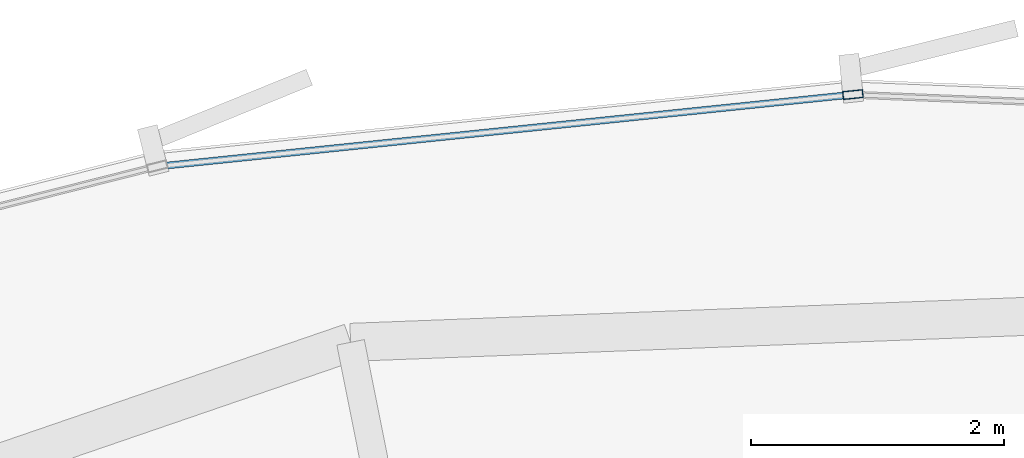
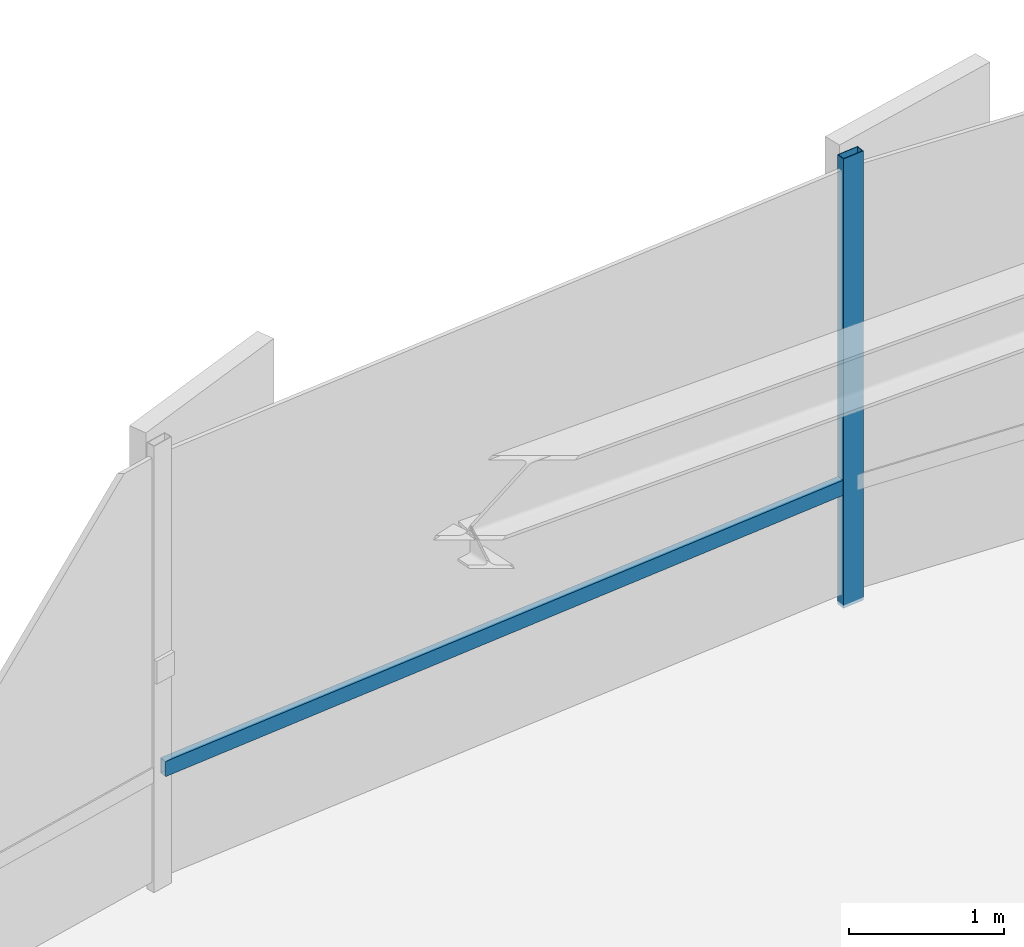
# One storey, part 25 of 42: 2 members, 1 element without a shape of its own.
"""IFC4 building model written with IfcOpenShell, lengths in metres."""

from ifc_helpers import new_model, si_unit, direction, frame, origin, origin_2d, place, context, subcontext, project, spatial, hollow_rectangle, extrude, source, transform, mapped, material, layer, layer_set, material_profile, profile_set, type_object, element, aggregate, save


model = new_model("IFC4")

# Units and contexts
model_context = context("Model", 3, precision=1e-05, world=origin(), true_north=direction((0.0, 1.0)))
body_context = subcontext(model_context, "Body", "Model", "MODEL_VIEW")
ifc_project = project(units=[si_unit("LENGTHUNIT", "METRE"), si_unit("AREAUNIT", "SQUARE_METRE"), si_unit("VOLUMEUNIT", "CUBIC_METRE"), si_unit("PLANEANGLEUNIT", "RADIAN"), si_unit("MASSUNIT", "GRAM", prefix="KILO"), si_unit("THERMODYNAMICTEMPERATUREUNIT", "KELVIN")], contexts=[model_context])

# Site, building, storey
site_placement = place(None, origin())
site = spatial("IfcSite", under=ifc_project, at=site_placement, CompositionType="ELEMENT")
building_placement = place(site_placement, origin())
building = spatial("IfcBuilding", under=site, at=building_placement, Name="Kethvar Cultural Tower", CompositionType="ELEMENT")
storey_placement = place(building_placement, frame((0.0, 0.0, 37.199951171875)))
storey = spatial("IfcBuildingStorey", under=building, at=storey_placement, Name="L08", CompositionType="ELEMENT", Elevation=37.199951171875)

# Curtain wall, members
ifc_material = material(Name="Aluminium 6063-T6", Category="aluminium")
ifc_layer = layer(ifc_material, 0.179931640625, Name="Aluminium 6063-T6", Category="aluminium")
ifc_layer_set = layer_set([ifc_layer], Name="Aluminium 6063-T6 (180 mm)")
curtain_wall_type = type_object("IfcCurtainWallType", Name="CW-SYS-02-Z1", PredefinedType="NOTDEFINED", material=ifc_layer_set)
curtain_wall_placement = place(storey_placement, origin())
curtain_wall = element("IfcCurtainWall", 1, at=curtain_wall_placement, inside=storey, type_object=curtain_wall_type, Name="L08 Curtain Wall Run 02", PredefinedType="NOTDEFINED")
ifc_material_profile_1 = material_profile(ifc_material, hollow_rectangle(XDim=0.06494140625, YDim=0.159912109375, WallThickness=0.0048828125, at=origin_2d()), Name="Aluminium 6063-T6 — RHS160x65x5")
ifc_profile_set_1 = profile_set([ifc_material_profile_1], Name="Aluminium 6063-T6 — RHS160x65x5")
member_type_1 = type_object("IfcMemberType", Name="CW-SYS-02-Z1-MUL", PredefinedType="MULLION", material=ifc_profile_set_1)
shared_shape_1 = source(origin(), body_context, "Body", "SweptSolid", [
    extrude(hollow_rectangle(XDim=0.06494140625, YDim=0.159912109375, WallThickness=0.0048828125, at=origin_2d()), origin(), (0.0, 0.0, 1.0), 3.550048828125),
])
member_1_placement = place(storey_placement, frame((45.992919921875, 53.750244140625, 0.0), z_axis=(0.0, 0.0, 1.0), x_axis=(0.102827258403, -0.994699228375, 0.0)))
member_1 = element("IfcMember", 2, at=member_1_placement, type_object=member_type_1, Name="CW-L08-R02 Mullion 4", PredefinedType="MULLION", context=body_context, shape_type="MappedRepresentation", body=[
    mapped(shared_shape_1, transform((0.0, 0.0, 0.0), scale=1.0)),
])
ifc_material_profile_2 = material_profile(ifc_material, hollow_rectangle(XDim=0.054931640625, YDim=0.1201171875, WallThickness=0.00390625, at=origin_2d()), Name="Aluminium 6063-T6 — RHS120x55x4")
ifc_profile_set_2 = profile_set([ifc_material_profile_2], Name="Aluminium 6063-T6 — RHS120x55x4")
member_type_2 = type_object("IfcMemberType", Name="CW-SYS-02-Z1-TRN", PredefinedType="USERDEFINED", material=ifc_profile_set_2)
shared_shape_2 = source(origin(), body_context, "Body", "SweptSolid", [
    extrude(hollow_rectangle(XDim=0.054931640625, YDim=0.1201171875, WallThickness=0.00390625, at=origin_2d()), origin(), (0.0, 0.0, 1.0), 5.445556640625),
])
member_2_placement = place(storey_placement, frame((45.946533203125, 53.745361328125, 0.949951171875), z_axis=(-0.994697330511, -0.10284561573, 0.0), x_axis=(0.10284561573, -0.994697330511, 0.0)))
member_2 = element("IfcMember", 3, at=member_2_placement, type_object=member_type_2, Name="CW-L08-R02 Transom 4", ObjectType="TRANSOM", PredefinedType="USERDEFINED", context=body_context, shape_type="MappedRepresentation", body=[
    mapped(shared_shape_2, transform((0.0, 0.0, 0.0), scale=1.0)),
])
aggregate(curtain_wall, [member_1, member_2])

save(model, "model.ifc")
